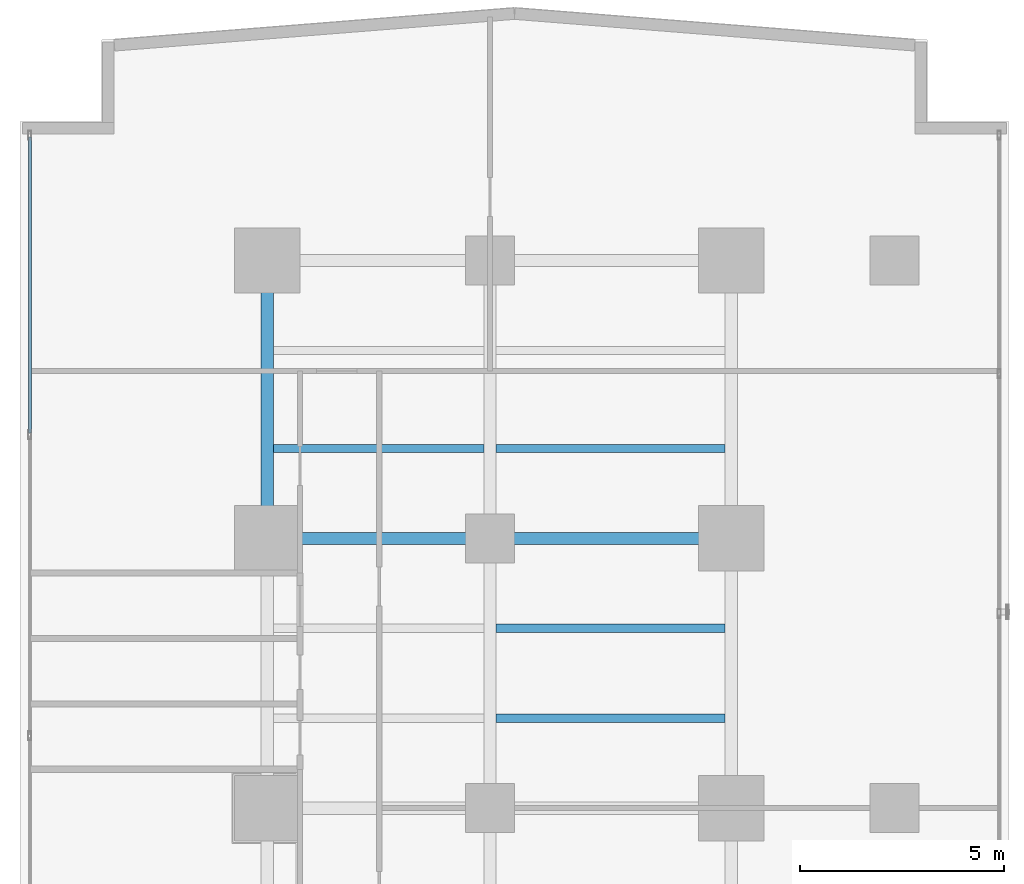
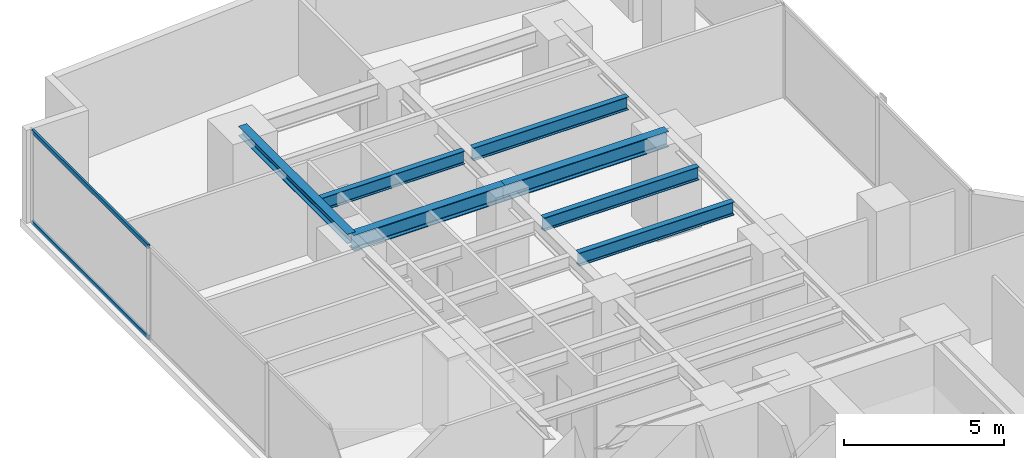
# One storey, part 16 of 30: 7 beams, 2 members, 1 element without a shape of its own.
"""IFC4 building model written with IfcOpenShell, lengths in metres."""

from ifc_helpers import new_model, si_unit, direction, frame, origin, origin_with_axes, origin_2d, place, context, subcontext, project, spatial, hollow_rectangle, i_section, extrude, source, transform, mapped, material, layer, layer_set, material_profile, profile_set, type_object, element, aggregate, save


model = new_model("IFC4")

# Units and contexts
model_context = context("Model", 3, precision=1e-05, world=origin(), true_north=direction((0.0, 1.0)))
body_context = subcontext(model_context, "Body", "Model", "MODEL_VIEW")
ifc_project = project(units=[si_unit("LENGTHUNIT", "METRE"), si_unit("AREAUNIT", "SQUARE_METRE"), si_unit("VOLUMEUNIT", "CUBIC_METRE"), si_unit("PLANEANGLEUNIT", "RADIAN"), si_unit("MASSUNIT", "GRAM", prefix="KILO")], contexts=[model_context])

# Site, building, storey
site_placement = place(None, origin())
site = spatial("IfcSite", under=ifc_project, at=site_placement, CompositionType="ELEMENT")
building_placement = place(site_placement, origin())
building = spatial("IfcBuilding", under=site, at=building_placement, Name="Kolvaren Waterfront Exchange", CompositionType="ELEMENT")
storey_placement = place(building_placement, frame((0.0, 0.0, 71.39990234375)))
storey = spatial("IfcBuildingStorey", under=building, at=storey_placement, Name="L18", CompositionType="ELEMENT", Elevation=71.39990234375)

# Beams
ifc_material_1 = material(Name="Steel S355", Category="steel")
ifc_material_profile_1 = material_profile(ifc_material_1, i_section(OverallWidth=0.300048828125, OverallDepth=0.360107421875, WebThickness=0.012451171875, FlangeThickness=0.0224609375, FilletRadius=0.027099609375, at=origin_2d()), Name="HEB360")
ifc_profile_set_1 = profile_set([ifc_material_profile_1], Name="Steel S355")
beam_type_1 = type_object("IfcBeamType", Name="STR-BM-HEB360", PredefinedType="SPANDREL", material=ifc_profile_set_1)
beam_1_placement = place(storey_placement, frame((7.449951171875, 37.800048828125, 3.360107421875), z_axis=(0.0, 1.0, 0.0), x_axis=(-1.0, 0.0, 0.0)))
element("IfcBeam", 1, at=beam_1_placement, inside=storey, type_object=beam_type_1, Name="L18 north-arm edge beam 3", PredefinedType="SPANDREL", context=body_context, shape_type="SweptSolid", body=[
    extrude(i_section(OverallWidth=0.300048828125, OverallDepth=0.360107421875, WebThickness=0.012451171875, FlangeThickness=0.0224609375, FilletRadius=0.027099609375, at=origin_2d()), origin(), (0.0, 0.0, 1.0), 6.800048828125),
])
ifc_material_profile_2 = material_profile(ifc_material_1, i_section(OverallWidth=0.300048828125, OverallDepth=0.60009765625, WebThickness=0.015380859375, FlangeThickness=0.030029296875, FilletRadius=0.027099609375, at=origin_2d()), Name="HEB600")
ifc_profile_set_2 = profile_set([ifc_material_profile_2], Name="Steel S355")
beam_type_2 = type_object("IfcBeamType", Name="STR-BM-HEB600", PredefinedType="BEAM", material=ifc_profile_set_2)
beam_2_placement = place(storey_placement, frame((7.449951171875, 37.800048828125, 3.239990234375), z_axis=(1.0, 0.0, 0.0), x_axis=(0.0, 1.0, 0.0)))
element("IfcBeam", 2, at=beam_2_placement, inside=storey, type_object=beam_type_2, Name="L18 north-arm girder 3A", PredefinedType="BEAM", context=body_context, shape_type="SweptSolid", body=[
    extrude(i_section(OverallWidth=0.300048828125, OverallDepth=0.60009765625, WebThickness=0.015380859375, FlangeThickness=0.030029296875, FilletRadius=0.027099609375, at=origin_2d()), origin(), (0.0, 0.0, 1.0), 5.449951171875),
])
beam_3_placement = place(storey_placement, frame((12.89990234375, 37.800048828125, 3.239990234375), z_axis=(1.0, 0.0, 0.0), x_axis=(0.0, 1.0, 0.0)))
element("IfcBeam", 3, at=beam_3_placement, inside=storey, type_object=beam_type_2, Name="L18 north-arm girder 3B", PredefinedType="BEAM", context=body_context, shape_type="SweptSolid", body=[
    extrude(i_section(OverallWidth=0.300048828125, OverallDepth=0.60009765625, WebThickness=0.015380859375, FlangeThickness=0.030029296875, FilletRadius=0.027099609375, at=origin_2d()), origin(), (0.0, 0.0, 1.0), 5.900146484375),
])
ifc_material_profile_3 = material_profile(ifc_material_1, i_section(OverallWidth=0.199951171875, OverallDepth=0.5, WebThickness=0.01025390625, FlangeThickness=0.01611328125, FilletRadius=0.02099609375, at=origin_2d()), Name="IPE500")
ifc_profile_set_3 = profile_set([ifc_material_profile_3], Name="Steel S355")
beam_type_3 = type_object("IfcBeamType", Name="STR-BM-IPE500", PredefinedType="JOIST", material=ifc_profile_set_3)
for number, where, z_axis, x_axis, name in (
    (4, (13.052001953125, 33.39990234375, 3.2900390625), (1.0, 0.0, 0.0), (0.0, 1.0, 0.0), "L18 north-arm composite joist 3B"),
    (5, (13.052001953125, 35.60009765625, 3.2900390625), (1.0, 0.0, 0.0), (0.0, 1.0, 0.0), "L18 north-arm composite joist 4B"),
):
    element("IfcBeam", number, at=place(storey_placement, frame(where, z_axis=z_axis, x_axis=x_axis)), inside=storey, type_object=beam_type_3, Name=name, PredefinedType="JOIST", context=body_context, shape_type="SweptSolid", body=[
        extrude(i_section(OverallWidth=0.199951171875, OverallDepth=0.5, WebThickness=0.01025390625, FlangeThickness=0.01611328125, FilletRadius=0.02099609375, at=origin_2d()), origin(), (0.0, 0.0, 1.0), 5.595947265625),
    ])
beam_4_placement = place(storey_placement, frame((7.60205078125, 40.0, 3.2900390625), z_axis=(1.0, 0.0, 0.0), x_axis=(0.0, 1.0, 0.0)))
element("IfcBeam", 6, at=beam_4_placement, inside=storey, type_object=beam_type_3, Name="L18 north-arm composite joist 5A", PredefinedType="JOIST", context=body_context, shape_type="SweptSolid", body=[
    extrude(i_section(OverallWidth=0.199951171875, OverallDepth=0.5, WebThickness=0.01025390625, FlangeThickness=0.01611328125, FilletRadius=0.02099609375, at=origin_2d()), origin(), (0.0, 0.0, 1.0), 5.14599609375),
])
beam_5_placement = place(storey_placement, frame((13.052001953125, 40.0, 3.2900390625), z_axis=(1.0, 0.0, 0.0), x_axis=(0.0, 1.0, 0.0)))
element("IfcBeam", 7, at=beam_5_placement, inside=storey, type_object=beam_type_3, Name="L18 north-arm composite joist 5B", PredefinedType="JOIST", context=body_context, shape_type="SweptSolid", body=[
    extrude(i_section(OverallWidth=0.199951171875, OverallDepth=0.5, WebThickness=0.01025390625, FlangeThickness=0.01611328125, FilletRadius=0.02099609375, at=origin_2d()), origin(), (0.0, 0.0, 1.0), 5.595947265625),
])

# Curtain wall, members
ifc_material_2 = material(Name="Anodised aluminium 6063-T6", Category="aluminium")
ifc_layer = layer(ifc_material_2, 0.219970703125, Name="Anodised aluminium 6063-T6")
ifc_layer_set = layer_set([ifc_layer], Name="Anodised aluminium 6063-T6")
curtain_wall_type = type_object("IfcCurtainWallType", Name="ARC-CW-SYS2", PredefinedType="USERDEFINED", material=ifc_layer_set)
curtain_wall_placement = place(storey_placement, origin())
curtain_wall = element("IfcCurtainWall", 8, at=curtain_wall_placement, inside=storey, type_object=curtain_wall_type, Name="L18 stick curtain wall CW2 (CW-L18-W)", ObjectType="STICK CURTAIN WALL", PredefinedType="USERDEFINED")
ifc_material_profile_4 = material_profile(ifc_material_2, hollow_rectangle(XDim=0.074951171875, YDim=0.159912109375, WallThickness=0.00439453125, at=origin_2d()), Name="ALU-TRN-160x75x4.5")
ifc_profile_set_4 = profile_set([ifc_material_profile_4], Name="Anodised aluminium 6063-T6")
member_type = type_object("IfcMemberType", Name="ARC-CWT-160", PredefinedType="USERDEFINED", material=ifc_profile_set_4)
shared_shape = source(origin_with_axes(), body_context, "Body", "SweptSolid", [
    extrude(hollow_rectangle(XDim=0.074951171875, YDim=0.159912109375, WallThickness=0.00439453125, at=origin_2d()), origin(), (0.0, 0.0, 1.0), 7.246826171875),
])
member_1_placement = place(storey_placement, frame((1.639892578125, 40.373291015625, 0.03759765625), z_axis=(0.0, 1.0, 0.0), x_axis=(-1.0, 0.0, 0.0)))
member_1 = element("IfcMember", 9, at=member_1_placement, type_object=member_type, Name="CW2 transom 6.1", ObjectType="TRANSOM", PredefinedType="USERDEFINED", context=body_context, shape_type="MappedRepresentation", body=[
    mapped(shared_shape, transform((0.0, 0.0, 0.0), x_axis=(1.0, 0.0, 0.0), y_axis=(0.0, 1.0, 0.0), z_axis=(0.0, 0.0, 1.0), scale=1.0)),
])
member_2_placement = place(storey_placement, frame((1.639892578125, 40.373291015625, 3.502685546875), z_axis=(0.0, 1.0, 0.0), x_axis=(-1.0, 0.0, 0.0)))
member_2 = element("IfcMember", 10, at=member_2_placement, type_object=member_type, Name="CW2 transom 6.2", ObjectType="TRANSOM", PredefinedType="USERDEFINED", context=body_context, shape_type="MappedRepresentation", body=[
    mapped(shared_shape, transform((0.0, 0.0, 0.0), x_axis=(1.0, 0.0, 0.0), y_axis=(0.0, 1.0, 0.0), z_axis=(0.0, 0.0, 1.0), scale=1.0)),
])
aggregate(curtain_wall, [member_1, member_2])

save(model, "model.ifc")
